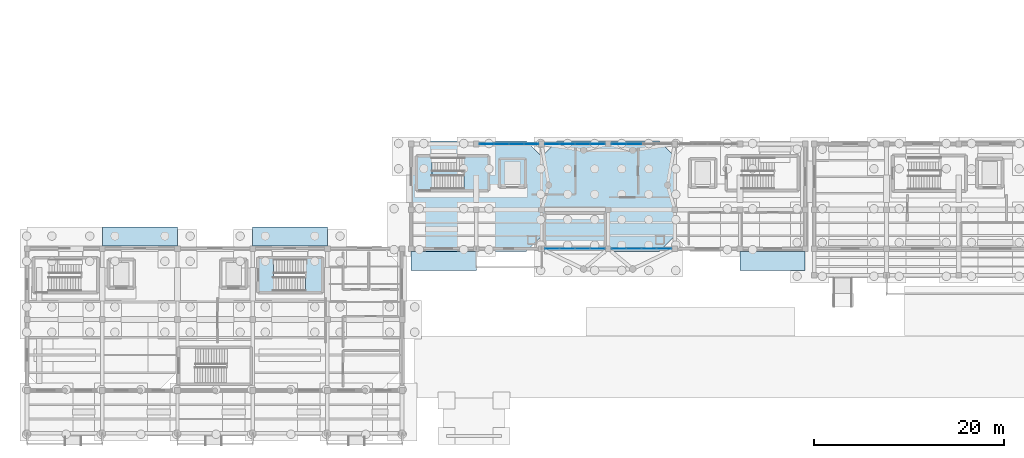
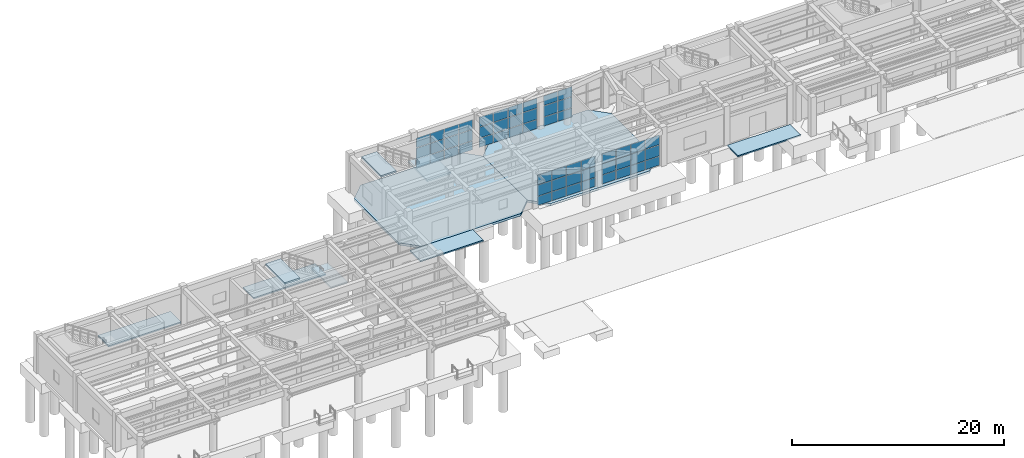
# One storey, part 18 of 41: 54 plates, 10 slabs, 7 elements without a shape of their own.
"""IFC4 building model written with IfcOpenShell, lengths in metres."""

from ifc_helpers import new_model, si_unit, direction, frame, origin, origin_2d, place, context, subcontext, project, spatial, polyline, rectangle, outline, extrude, material, layer, layer_set, type_object, element, aggregate, save


model = new_model("IFC4")

# Units and contexts
model_context = context("Model", 3, precision=1e-05, world=origin(), true_north=direction((0.0, 1.0)))
body_context = subcontext(model_context, "Body", "Model", "MODEL_VIEW")
ifc_project = project(units=[si_unit("LENGTHUNIT", "METRE"), si_unit("AREAUNIT", "SQUARE_METRE"), si_unit("VOLUMEUNIT", "CUBIC_METRE"), si_unit("PLANEANGLEUNIT", "RADIAN"), si_unit("MASSUNIT", "GRAM", prefix="KILO")], contexts=[model_context])

# Site, building, storey
site_placement = place(None, origin())
site = spatial("IfcSite", under=ifc_project, at=site_placement, CompositionType="ELEMENT")
building_placement = place(site_placement, origin())
building = spatial("IfcBuilding", under=site, at=building_placement, Name="Candilejo Ridge Gondola Terminal", CompositionType="ELEMENT")
storey_placement = place(building_placement, origin())
storey = spatial("IfcBuildingStorey", under=building, at=storey_placement, Name="L00", CompositionType="ELEMENT", Elevation=0.0)

# Curtain wall, plates
ifc_material_1 = material(Name="Anodised aluminium AA 6063-T6", Category="aluminium")
ifc_layer_1 = layer(ifc_material_1, 0.169921875)
ifc_layer_set_1 = layer_set([ifc_layer_1], Name="ARC-CW-DRUM-3400-625X359")
curtain_wall_type_1 = type_object("IfcCurtainWallType", Name="ARC-CW-DRUM-3400-625X359", PredefinedType="NOTDEFINED", material=ifc_layer_set_1)
curtain_wall_1_placement = place(storey_placement, origin())
curtain_wall_1 = element("IfcCurtainWall", 1, at=curtain_wall_1_placement, inside=storey, type_object=curtain_wall_type_1, Name="Curtain wall V2 L00-028", PredefinedType="NOTDEFINED")
ifc_material_2 = material(Name="Low-E laminated double glazing 6+12A+6+1.52PVB+6 mm", Category="glass")
ifc_layer_2 = layer(ifc_material_2, 0.028076171875)
ifc_layer_set_2 = layer_set([ifc_layer_2], Name="ARC-CW-GLAZ-PANEL")
plate_type = type_object("IfcPlateType", Name="ARC-CW-GLAZ-PANEL", PredefinedType="CURTAIN_PANEL", material=ifc_layer_set_2)
plate_1_placement = place(storey_placement, frame((52.597412109375, 36.699951171875, 0.06005859375), z_axis=(0.0, 0.0, 1.0), x_axis=(1.0, 0.0, 0.0)))
plate_1 = element("IfcPlate", 2, at=plate_1_placement, type_object=plate_type, Name="CW-62X35 panel 1.1", PredefinedType="CURTAIN_PANEL", context=body_context, shape_type="SweptSolid", body=[
    extrude(rectangle(XDim=1.465087890625, YDim=0.028076171875, at=origin_2d()), origin(), (0.0, 0.0, 1.0), 1.010009765625),
])
plate_2_placement = place(storey_placement, frame((52.597412109375, 36.699951171875, 1.1298828125), z_axis=(0.0, 0.0, 1.0), x_axis=(1.0, 0.0, 0.0)))
plate_2 = element("IfcPlate", 3, at=plate_2_placement, type_object=plate_type, Name="CW-62X35 panel 1.2", PredefinedType="CURTAIN_PANEL", context=body_context, shape_type="SweptSolid", body=[
    extrude(rectangle(XDim=1.465087890625, YDim=0.028076171875, at=origin_2d()), origin(), (0.0, 0.0, 1.0), 1.239990234375),
])
plate_3_placement = place(storey_placement, frame((52.597412109375, 36.699951171875, 2.429931640625), z_axis=(0.0, 0.0, 1.0), x_axis=(1.0, 0.0, 0.0)))
plate_3 = element("IfcPlate", 4, at=plate_3_placement, type_object=plate_type, Name="CW-62X35 panel 1.3", PredefinedType="CURTAIN_PANEL", context=body_context, shape_type="SweptSolid", body=[
    extrude(rectangle(XDim=1.465087890625, YDim=0.028076171875, at=origin_2d()), origin(), (0.0, 0.0, 1.0), 1.10009765625),
])
plate_4_placement = place(storey_placement, frame((54.143798828125, 36.699951171875, 0.06005859375), z_axis=(0.0, 0.0, 1.0), x_axis=(1.0, 0.0, 0.0)))
plate_4 = element("IfcPlate", 5, at=plate_4_placement, type_object=plate_type, Name="CW-62X35 panel 2.1", PredefinedType="CURTAIN_PANEL", context=body_context, shape_type="SweptSolid", body=[
    extrude(rectangle(XDim=1.49755859375, YDim=0.028076171875, at=origin_2d()), origin(), (0.0, 0.0, 1.0), 1.010009765625),
])
plate_5_placement = place(storey_placement, frame((54.143798828125, 36.699951171875, 1.1298828125), z_axis=(0.0, 0.0, 1.0), x_axis=(1.0, 0.0, 0.0)))
plate_5 = element("IfcPlate", 6, at=plate_5_placement, type_object=plate_type, Name="CW-62X35 panel 2.2", PredefinedType="CURTAIN_PANEL", context=body_context, shape_type="SweptSolid", body=[
    extrude(rectangle(XDim=1.49755859375, YDim=0.028076171875, at=origin_2d()), origin(), (0.0, 0.0, 1.0), 1.239990234375),
])
plate_6_placement = place(storey_placement, frame((54.143798828125, 36.699951171875, 2.429931640625), z_axis=(0.0, 0.0, 1.0), x_axis=(1.0, 0.0, 0.0)))
plate_6 = element("IfcPlate", 7, at=plate_6_placement, type_object=plate_type, Name="CW-62X35 panel 2.3", PredefinedType="CURTAIN_PANEL", context=body_context, shape_type="SweptSolid", body=[
    extrude(rectangle(XDim=1.49755859375, YDim=0.028076171875, at=origin_2d()), origin(), (0.0, 0.0, 1.0), 1.10009765625),
])
plate_7_placement = place(storey_placement, frame((55.706298828125, 36.699951171875, 0.06005859375), z_axis=(0.0, 0.0, 1.0), x_axis=(1.0, 0.0, 0.0)))
plate_7 = element("IfcPlate", 8, at=plate_7_placement, type_object=plate_type, Name="CW-62X35 panel 3.1", PredefinedType="CURTAIN_PANEL", context=body_context, shape_type="SweptSolid", body=[
    extrude(rectangle(XDim=1.49755859375, YDim=0.028076171875, at=origin_2d()), origin(), (0.0, 0.0, 1.0), 1.010009765625),
])
plate_8_placement = place(storey_placement, frame((55.706298828125, 36.699951171875, 1.1298828125), z_axis=(0.0, 0.0, 1.0), x_axis=(1.0, 0.0, 0.0)))
plate_8 = element("IfcPlate", 9, at=plate_8_placement, type_object=plate_type, Name="CW-62X35 panel 3.2", PredefinedType="CURTAIN_PANEL", context=body_context, shape_type="SweptSolid", body=[
    extrude(rectangle(XDim=1.49755859375, YDim=0.028076171875, at=origin_2d()), origin(), (0.0, 0.0, 1.0), 1.239990234375),
])
plate_9_placement = place(storey_placement, frame((55.706298828125, 36.699951171875, 2.429931640625), z_axis=(0.0, 0.0, 1.0), x_axis=(1.0, 0.0, 0.0)))
plate_9 = element("IfcPlate", 10, at=plate_9_placement, type_object=plate_type, Name="CW-62X35 panel 3.3", PredefinedType="CURTAIN_PANEL", context=body_context, shape_type="SweptSolid", body=[
    extrude(rectangle(XDim=1.49755859375, YDim=0.028076171875, at=origin_2d()), origin(), (0.0, 0.0, 1.0), 1.10009765625),
])
plate_10_placement = place(storey_placement, frame((57.25244140625, 36.699951171875, 0.06005859375), z_axis=(0.0, 0.0, 1.0), x_axis=(1.0, 0.0, 0.0)))
plate_10 = element("IfcPlate", 11, at=plate_10_placement, type_object=plate_type, Name="CW-62X35 panel 4.1", PredefinedType="CURTAIN_PANEL", context=body_context, shape_type="SweptSolid", body=[
    extrude(rectangle(XDim=1.465087890625, YDim=0.028076171875, at=origin_2d()), origin(), (0.0, 0.0, 1.0), 1.010009765625),
])
plate_11_placement = place(storey_placement, frame((57.25244140625, 36.699951171875, 1.1298828125), z_axis=(0.0, 0.0, 1.0), x_axis=(1.0, 0.0, 0.0)))
plate_11 = element("IfcPlate", 12, at=plate_11_placement, type_object=plate_type, Name="CW-62X35 panel 4.2", PredefinedType="CURTAIN_PANEL", context=body_context, shape_type="SweptSolid", body=[
    extrude(rectangle(XDim=1.465087890625, YDim=0.028076171875, at=origin_2d()), origin(), (0.0, 0.0, 1.0), 1.239990234375),
])
plate_12_placement = place(storey_placement, frame((57.25244140625, 36.699951171875, 2.429931640625), z_axis=(0.0, 0.0, 1.0), x_axis=(1.0, 0.0, 0.0)))
plate_12 = element("IfcPlate", 13, at=plate_12_placement, type_object=plate_type, Name="CW-62X35 panel 4.3", PredefinedType="CURTAIN_PANEL", context=body_context, shape_type="SweptSolid", body=[
    extrude(rectangle(XDim=1.465087890625, YDim=0.028076171875, at=origin_2d()), origin(), (0.0, 0.0, 1.0), 1.10009765625),
])
aggregate(curtain_wall_1, [plate_1, plate_2, plate_3, plate_4, plate_5, plate_6, plate_7, plate_8, plate_9, plate_10, plate_11, plate_12])

ifc_material_3 = material(Name="Anodised aluminium AA 6063-T6", Category="aluminium")
ifc_layer_3 = layer(ifc_material_3, 0.169921875)
ifc_layer_set_3 = layer_set([ifc_layer_3], Name="ARC-CW-DRUM-3400-640X359")
curtain_wall_type_2 = type_object("IfcCurtainWallType", Name="ARC-CW-DRUM-3400-640X359", PredefinedType="NOTDEFINED", material=ifc_layer_set_3)
curtain_wall_2_placement = place(storey_placement, origin())
curtain_wall_2 = element("IfcCurtainWall", 14, at=curtain_wall_2_placement, inside=storey, type_object=curtain_wall_type_2, Name="Curtain wall V2 L00-029", PredefinedType="NOTDEFINED")
plate_13_placement = place(storey_placement, frame((59.46630859375, 36.699951171875, 0.06005859375), z_axis=(0.0, 0.0, 1.0), x_axis=(1.0, 0.0, 0.0)))
plate_13 = element("IfcPlate", 15, at=plate_13_placement, type_object=plate_type, Name="CW-64X35 panel 1.1", PredefinedType="CURTAIN_PANEL", context=body_context, shape_type="SweptSolid", body=[
    extrude(rectangle(XDim=1.50244140625, YDim=0.028076171875, at=origin_2d()), origin(), (0.0, 0.0, 1.0), 1.010009765625),
])
plate_14_placement = place(storey_placement, frame((59.46630859375, 36.699951171875, 1.1298828125), z_axis=(0.0, 0.0, 1.0), x_axis=(1.0, 0.0, 0.0)))
plate_14 = element("IfcPlate", 16, at=plate_14_placement, type_object=plate_type, Name="CW-64X35 panel 1.2", PredefinedType="CURTAIN_PANEL", context=body_context, shape_type="SweptSolid", body=[
    extrude(rectangle(XDim=1.50244140625, YDim=0.028076171875, at=origin_2d()), origin(), (0.0, 0.0, 1.0), 1.239990234375),
])
plate_15_placement = place(storey_placement, frame((59.46630859375, 36.699951171875, 2.429931640625), z_axis=(0.0, 0.0, 1.0), x_axis=(1.0, 0.0, 0.0)))
plate_15 = element("IfcPlate", 17, at=plate_15_placement, type_object=plate_type, Name="CW-64X35 panel 1.3", PredefinedType="CURTAIN_PANEL", context=body_context, shape_type="SweptSolid", body=[
    extrude(rectangle(XDim=1.50244140625, YDim=0.028076171875, at=origin_2d()), origin(), (0.0, 0.0, 1.0), 1.10009765625),
])
plate_16_placement = place(storey_placement, frame((61.050048828125, 36.699951171875, 0.06005859375), z_axis=(0.0, 0.0, 1.0), x_axis=(1.0, 0.0, 0.0)))
plate_16 = element("IfcPlate", 18, at=plate_16_placement, type_object=plate_type, Name="CW-64X35 panel 2.1", PredefinedType="CURTAIN_PANEL", context=body_context, shape_type="SweptSolid", body=[
    extrude(rectangle(XDim=1.534912109375, YDim=0.028076171875, at=origin_2d()), origin(), (0.0, 0.0, 1.0), 1.010009765625),
])
plate_17_placement = place(storey_placement, frame((61.050048828125, 36.699951171875, 1.1298828125), z_axis=(0.0, 0.0, 1.0), x_axis=(1.0, 0.0, 0.0)))
plate_17 = element("IfcPlate", 19, at=plate_17_placement, type_object=plate_type, Name="CW-64X35 panel 2.2", PredefinedType="CURTAIN_PANEL", context=body_context, shape_type="SweptSolid", body=[
    extrude(rectangle(XDim=1.534912109375, YDim=0.028076171875, at=origin_2d()), origin(), (0.0, 0.0, 1.0), 1.239990234375),
])
plate_18_placement = place(storey_placement, frame((61.050048828125, 36.699951171875, 2.429931640625), z_axis=(0.0, 0.0, 1.0), x_axis=(1.0, 0.0, 0.0)))
plate_18 = element("IfcPlate", 20, at=plate_18_placement, type_object=plate_type, Name="CW-64X35 panel 2.3", PredefinedType="CURTAIN_PANEL", context=body_context, shape_type="SweptSolid", body=[
    extrude(rectangle(XDim=1.534912109375, YDim=0.028076171875, at=origin_2d()), origin(), (0.0, 0.0, 1.0), 1.10009765625),
])
plate_19_placement = place(storey_placement, frame((62.64990234375, 36.699951171875, 0.06005859375), z_axis=(0.0, 0.0, 1.0), x_axis=(1.0, 0.0, 0.0)))
plate_19 = element("IfcPlate", 21, at=plate_19_placement, type_object=plate_type, Name="CW-64X35 panel 3.1", PredefinedType="CURTAIN_PANEL", context=body_context, shape_type="SweptSolid", body=[
    extrude(rectangle(XDim=1.534912109375, YDim=0.028076171875, at=origin_2d()), origin(), (0.0, 0.0, 1.0), 1.010009765625),
])
plate_20_placement = place(storey_placement, frame((62.64990234375, 36.699951171875, 1.1298828125), z_axis=(0.0, 0.0, 1.0), x_axis=(1.0, 0.0, 0.0)))
plate_20 = element("IfcPlate", 22, at=plate_20_placement, type_object=plate_type, Name="CW-64X35 panel 3.2", PredefinedType="CURTAIN_PANEL", context=body_context, shape_type="SweptSolid", body=[
    extrude(rectangle(XDim=1.534912109375, YDim=0.028076171875, at=origin_2d()), origin(), (0.0, 0.0, 1.0), 1.239990234375),
])
plate_21_placement = place(storey_placement, frame((62.64990234375, 36.699951171875, 2.429931640625), z_axis=(0.0, 0.0, 1.0), x_axis=(1.0, 0.0, 0.0)))
plate_21 = element("IfcPlate", 23, at=plate_21_placement, type_object=plate_type, Name="CW-64X35 panel 3.3", PredefinedType="CURTAIN_PANEL", context=body_context, shape_type="SweptSolid", body=[
    extrude(rectangle(XDim=1.534912109375, YDim=0.028076171875, at=origin_2d()), origin(), (0.0, 0.0, 1.0), 1.10009765625),
])
plate_22_placement = place(storey_placement, frame((64.233642578125, 36.699951171875, 0.06005859375), z_axis=(0.0, 0.0, 1.0), x_axis=(1.0, 0.0, 0.0)))
plate_22 = element("IfcPlate", 24, at=plate_22_placement, type_object=plate_type, Name="CW-64X35 panel 4.1", PredefinedType="CURTAIN_PANEL", context=body_context, shape_type="SweptSolid", body=[
    extrude(rectangle(XDim=1.50244140625, YDim=0.028076171875, at=origin_2d()), origin(), (0.0, 0.0, 1.0), 1.010009765625),
])
plate_23_placement = place(storey_placement, frame((64.233642578125, 36.699951171875, 1.1298828125), z_axis=(0.0, 0.0, 1.0), x_axis=(1.0, 0.0, 0.0)))
plate_23 = element("IfcPlate", 25, at=plate_23_placement, type_object=plate_type, Name="CW-64X35 panel 4.2", PredefinedType="CURTAIN_PANEL", context=body_context, shape_type="SweptSolid", body=[
    extrude(rectangle(XDim=1.50244140625, YDim=0.028076171875, at=origin_2d()), origin(), (0.0, 0.0, 1.0), 1.239990234375),
])
plate_24_placement = place(storey_placement, frame((64.233642578125, 36.699951171875, 2.429931640625), z_axis=(0.0, 0.0, 1.0), x_axis=(1.0, 0.0, 0.0)))
plate_24 = element("IfcPlate", 26, at=plate_24_placement, type_object=plate_type, Name="CW-64X35 panel 4.3", PredefinedType="CURTAIN_PANEL", context=body_context, shape_type="SweptSolid", body=[
    extrude(rectangle(XDim=1.50244140625, YDim=0.028076171875, at=origin_2d()), origin(), (0.0, 0.0, 1.0), 1.10009765625),
])
aggregate(curtain_wall_2, [plate_13, plate_14, plate_15, plate_16, plate_17, plate_18, plate_19, plate_20, plate_21, plate_22, plate_23, plate_24])

curtain_wall_3_placement = place(storey_placement, origin())
curtain_wall_3 = element("IfcCurtainWall", 27, at=curtain_wall_3_placement, inside=storey, type_object=curtain_wall_type_2, Name="Curtain wall V2 L00-030", PredefinedType="NOTDEFINED")
plate_25_placement = place(storey_placement, frame((59.46630859375, 25.699951171875, 0.06005859375), z_axis=(0.0, 0.0, 1.0), x_axis=(1.0, 0.0, 0.0)))
plate_25 = element("IfcPlate", 28, at=plate_25_placement, type_object=plate_type, Name="CW-64X35 panel 1.1", PredefinedType="CURTAIN_PANEL", context=body_context, shape_type="SweptSolid", body=[
    extrude(rectangle(XDim=1.50244140625, YDim=0.028076171875, at=origin_2d()), origin(), (0.0, 0.0, 1.0), 1.010009765625),
])
plate_26_placement = place(storey_placement, frame((59.46630859375, 25.699951171875, 1.1298828125), z_axis=(0.0, 0.0, 1.0), x_axis=(1.0, 0.0, 0.0)))
plate_26 = element("IfcPlate", 29, at=plate_26_placement, type_object=plate_type, Name="CW-64X35 panel 1.2", PredefinedType="CURTAIN_PANEL", context=body_context, shape_type="SweptSolid", body=[
    extrude(rectangle(XDim=1.50244140625, YDim=0.028076171875, at=origin_2d()), origin(), (0.0, 0.0, 1.0), 1.239990234375),
])
plate_27_placement = place(storey_placement, frame((59.46630859375, 25.699951171875, 2.429931640625), z_axis=(0.0, 0.0, 1.0), x_axis=(1.0, 0.0, 0.0)))
plate_27 = element("IfcPlate", 30, at=plate_27_placement, type_object=plate_type, Name="CW-64X35 panel 1.3", PredefinedType="CURTAIN_PANEL", context=body_context, shape_type="SweptSolid", body=[
    extrude(rectangle(XDim=1.50244140625, YDim=0.028076171875, at=origin_2d()), origin(), (0.0, 0.0, 1.0), 1.10009765625),
])
plate_28_placement = place(storey_placement, frame((61.050048828125, 25.699951171875, 0.06005859375), z_axis=(0.0, 0.0, 1.0), x_axis=(1.0, 0.0, 0.0)))
plate_28 = element("IfcPlate", 31, at=plate_28_placement, type_object=plate_type, Name="CW-64X35 panel 2.1", PredefinedType="CURTAIN_PANEL", context=body_context, shape_type="SweptSolid", body=[
    extrude(rectangle(XDim=1.534912109375, YDim=0.028076171875, at=origin_2d()), origin(), (0.0, 0.0, 1.0), 1.010009765625),
])
plate_29_placement = place(storey_placement, frame((61.050048828125, 25.699951171875, 1.1298828125), z_axis=(0.0, 0.0, 1.0), x_axis=(1.0, 0.0, 0.0)))
plate_29 = element("IfcPlate", 32, at=plate_29_placement, type_object=plate_type, Name="CW-64X35 panel 2.2", PredefinedType="CURTAIN_PANEL", context=body_context, shape_type="SweptSolid", body=[
    extrude(rectangle(XDim=1.534912109375, YDim=0.028076171875, at=origin_2d()), origin(), (0.0, 0.0, 1.0), 1.239990234375),
])
plate_30_placement = place(storey_placement, frame((61.050048828125, 25.699951171875, 2.429931640625), z_axis=(0.0, 0.0, 1.0), x_axis=(1.0, 0.0, 0.0)))
plate_30 = element("IfcPlate", 33, at=plate_30_placement, type_object=plate_type, Name="CW-64X35 panel 2.3", PredefinedType="CURTAIN_PANEL", context=body_context, shape_type="SweptSolid", body=[
    extrude(rectangle(XDim=1.534912109375, YDim=0.028076171875, at=origin_2d()), origin(), (0.0, 0.0, 1.0), 1.10009765625),
])
plate_31_placement = place(storey_placement, frame((62.64990234375, 25.699951171875, 0.06005859375), z_axis=(0.0, 0.0, 1.0), x_axis=(1.0, 0.0, 0.0)))
plate_31 = element("IfcPlate", 34, at=plate_31_placement, type_object=plate_type, Name="CW-64X35 panel 3.1", PredefinedType="CURTAIN_PANEL", context=body_context, shape_type="SweptSolid", body=[
    extrude(rectangle(XDim=1.534912109375, YDim=0.028076171875, at=origin_2d()), origin(), (0.0, 0.0, 1.0), 1.010009765625),
])
plate_32_placement = place(storey_placement, frame((62.64990234375, 25.699951171875, 1.1298828125), z_axis=(0.0, 0.0, 1.0), x_axis=(1.0, 0.0, 0.0)))
plate_32 = element("IfcPlate", 35, at=plate_32_placement, type_object=plate_type, Name="CW-64X35 panel 3.2", PredefinedType="CURTAIN_PANEL", context=body_context, shape_type="SweptSolid", body=[
    extrude(rectangle(XDim=1.534912109375, YDim=0.028076171875, at=origin_2d()), origin(), (0.0, 0.0, 1.0), 1.239990234375),
])
plate_33_placement = place(storey_placement, frame((62.64990234375, 25.699951171875, 2.429931640625), z_axis=(0.0, 0.0, 1.0), x_axis=(1.0, 0.0, 0.0)))
plate_33 = element("IfcPlate", 36, at=plate_33_placement, type_object=plate_type, Name="CW-64X35 panel 3.3", PredefinedType="CURTAIN_PANEL", context=body_context, shape_type="SweptSolid", body=[
    extrude(rectangle(XDim=1.534912109375, YDim=0.028076171875, at=origin_2d()), origin(), (0.0, 0.0, 1.0), 1.10009765625),
])
plate_34_placement = place(storey_placement, frame((64.233642578125, 25.699951171875, 0.06005859375), z_axis=(0.0, 0.0, 1.0), x_axis=(1.0, 0.0, 0.0)))
plate_34 = element("IfcPlate", 37, at=plate_34_placement, type_object=plate_type, Name="CW-64X35 panel 4.1", PredefinedType="CURTAIN_PANEL", context=body_context, shape_type="SweptSolid", body=[
    extrude(rectangle(XDim=1.50244140625, YDim=0.028076171875, at=origin_2d()), origin(), (0.0, 0.0, 1.0), 1.010009765625),
])
plate_35_placement = place(storey_placement, frame((64.233642578125, 25.699951171875, 1.1298828125), z_axis=(0.0, 0.0, 1.0), x_axis=(1.0, 0.0, 0.0)))
plate_35 = element("IfcPlate", 38, at=plate_35_placement, type_object=plate_type, Name="CW-64X35 panel 4.2", PredefinedType="CURTAIN_PANEL", context=body_context, shape_type="SweptSolid", body=[
    extrude(rectangle(XDim=1.50244140625, YDim=0.028076171875, at=origin_2d()), origin(), (0.0, 0.0, 1.0), 1.239990234375),
])
plate_36_placement = place(storey_placement, frame((64.233642578125, 25.699951171875, 2.429931640625), z_axis=(0.0, 0.0, 1.0), x_axis=(1.0, 0.0, 0.0)))
plate_36 = element("IfcPlate", 39, at=plate_36_placement, type_object=plate_type, Name="CW-64X35 panel 4.3", PredefinedType="CURTAIN_PANEL", context=body_context, shape_type="SweptSolid", body=[
    extrude(rectangle(XDim=1.50244140625, YDim=0.028076171875, at=origin_2d()), origin(), (0.0, 0.0, 1.0), 1.10009765625),
])
aggregate(curtain_wall_3, [plate_25, plate_26, plate_27, plate_28, plate_29, plate_30, plate_31, plate_32, plate_33, plate_34, plate_35, plate_36])

curtain_wall_4_placement = place(storey_placement, origin())
curtain_wall_4 = element("IfcCurtainWall", 40, at=curtain_wall_4_placement, inside=storey, type_object=curtain_wall_type_2, Name="Curtain wall V2 L00-031", PredefinedType="NOTDEFINED")
plate_37_placement = place(storey_placement, frame((66.46630859375, 36.699951171875, 0.06005859375), z_axis=(0.0, 0.0, 1.0), x_axis=(1.0, 0.0, 0.0)))
plate_37 = element("IfcPlate", 41, at=plate_37_placement, type_object=plate_type, Name="CW-64X35 panel 1.1", PredefinedType="CURTAIN_PANEL", context=body_context, shape_type="SweptSolid", body=[
    extrude(rectangle(XDim=1.50244140625, YDim=0.028076171875, at=origin_2d()), origin(), (0.0, 0.0, 1.0), 1.010009765625),
])
plate_38_placement = place(storey_placement, frame((66.46630859375, 36.699951171875, 1.1298828125), z_axis=(0.0, 0.0, 1.0), x_axis=(1.0, 0.0, 0.0)))
plate_38 = element("IfcPlate", 42, at=plate_38_placement, type_object=plate_type, Name="CW-64X35 panel 1.2", PredefinedType="CURTAIN_PANEL", context=body_context, shape_type="SweptSolid", body=[
    extrude(rectangle(XDim=1.50244140625, YDim=0.028076171875, at=origin_2d()), origin(), (0.0, 0.0, 1.0), 1.239990234375),
])
plate_39_placement = place(storey_placement, frame((66.46630859375, 36.699951171875, 2.429931640625), z_axis=(0.0, 0.0, 1.0), x_axis=(1.0, 0.0, 0.0)))
plate_39 = element("IfcPlate", 43, at=plate_39_placement, type_object=plate_type, Name="CW-64X35 panel 1.3", PredefinedType="CURTAIN_PANEL", context=body_context, shape_type="SweptSolid", body=[
    extrude(rectangle(XDim=1.50244140625, YDim=0.028076171875, at=origin_2d()), origin(), (0.0, 0.0, 1.0), 1.10009765625),
])
plate_40_placement = place(storey_placement, frame((68.050048828125, 36.699951171875, 0.06005859375), z_axis=(0.0, 0.0, 1.0), x_axis=(1.0, 0.0, 0.0)))
plate_40 = element("IfcPlate", 44, at=plate_40_placement, type_object=plate_type, Name="CW-64X35 panel 2.1", PredefinedType="CURTAIN_PANEL", context=body_context, shape_type="SweptSolid", body=[
    extrude(rectangle(XDim=1.534912109375, YDim=0.028076171875, at=origin_2d()), origin(), (0.0, 0.0, 1.0), 1.010009765625),
])
plate_41_placement = place(storey_placement, frame((68.050048828125, 36.699951171875, 1.1298828125), z_axis=(0.0, 0.0, 1.0), x_axis=(1.0, 0.0, 0.0)))
plate_41 = element("IfcPlate", 45, at=plate_41_placement, type_object=plate_type, Name="CW-64X35 panel 2.2", PredefinedType="CURTAIN_PANEL", context=body_context, shape_type="SweptSolid", body=[
    extrude(rectangle(XDim=1.534912109375, YDim=0.028076171875, at=origin_2d()), origin(), (0.0, 0.0, 1.0), 1.239990234375),
])
plate_42_placement = place(storey_placement, frame((68.050048828125, 36.699951171875, 2.429931640625), z_axis=(0.0, 0.0, 1.0), x_axis=(1.0, 0.0, 0.0)))
plate_42 = element("IfcPlate", 46, at=plate_42_placement, type_object=plate_type, Name="CW-64X35 panel 2.3", PredefinedType="CURTAIN_PANEL", context=body_context, shape_type="SweptSolid", body=[
    extrude(rectangle(XDim=1.534912109375, YDim=0.028076171875, at=origin_2d()), origin(), (0.0, 0.0, 1.0), 1.10009765625),
])
aggregate(curtain_wall_4, [plate_37, plate_38, plate_39, plate_40, plate_41, plate_42])

curtain_wall_5_placement = place(storey_placement, origin())
curtain_wall_5 = element("IfcCurtainWall", 47, at=curtain_wall_5_placement, inside=storey, type_object=curtain_wall_type_2, Name="Curtain wall V2 L00-032", PredefinedType="NOTDEFINED")
plate_43_placement = place(storey_placement, frame((66.46630859375, 25.699951171875, 0.06005859375), z_axis=(0.0, 0.0, 1.0), x_axis=(1.0, 0.0, 0.0)))
plate_43 = element("IfcPlate", 48, at=plate_43_placement, type_object=plate_type, Name="CW-64X35 panel 1.1", PredefinedType="CURTAIN_PANEL", context=body_context, shape_type="SweptSolid", body=[
    extrude(rectangle(XDim=1.50244140625, YDim=0.028076171875, at=origin_2d()), origin(), (0.0, 0.0, 1.0), 1.010009765625),
])
plate_44_placement = place(storey_placement, frame((66.46630859375, 25.699951171875, 1.1298828125), z_axis=(0.0, 0.0, 1.0), x_axis=(1.0, 0.0, 0.0)))
plate_44 = element("IfcPlate", 49, at=plate_44_placement, type_object=plate_type, Name="CW-64X35 panel 1.2", PredefinedType="CURTAIN_PANEL", context=body_context, shape_type="SweptSolid", body=[
    extrude(rectangle(XDim=1.50244140625, YDim=0.028076171875, at=origin_2d()), origin(), (0.0, 0.0, 1.0), 1.239990234375),
])
plate_45_placement = place(storey_placement, frame((66.46630859375, 25.699951171875, 2.429931640625), z_axis=(0.0, 0.0, 1.0), x_axis=(1.0, 0.0, 0.0)))
plate_45 = element("IfcPlate", 50, at=plate_45_placement, type_object=plate_type, Name="CW-64X35 panel 1.3", PredefinedType="CURTAIN_PANEL", context=body_context, shape_type="SweptSolid", body=[
    extrude(rectangle(XDim=1.50244140625, YDim=0.028076171875, at=origin_2d()), origin(), (0.0, 0.0, 1.0), 1.10009765625),
])
plate_46_placement = place(storey_placement, frame((68.050048828125, 25.699951171875, 0.06005859375), z_axis=(0.0, 0.0, 1.0), x_axis=(1.0, 0.0, 0.0)))
plate_46 = element("IfcPlate", 51, at=plate_46_placement, type_object=plate_type, Name="CW-64X35 panel 2.1", PredefinedType="CURTAIN_PANEL", context=body_context, shape_type="SweptSolid", body=[
    extrude(rectangle(XDim=1.534912109375, YDim=0.028076171875, at=origin_2d()), origin(), (0.0, 0.0, 1.0), 1.010009765625),
])
plate_47_placement = place(storey_placement, frame((68.050048828125, 25.699951171875, 1.1298828125), z_axis=(0.0, 0.0, 1.0), x_axis=(1.0, 0.0, 0.0)))
plate_47 = element("IfcPlate", 52, at=plate_47_placement, type_object=plate_type, Name="CW-64X35 panel 2.2", PredefinedType="CURTAIN_PANEL", context=body_context, shape_type="SweptSolid", body=[
    extrude(rectangle(XDim=1.534912109375, YDim=0.028076171875, at=origin_2d()), origin(), (0.0, 0.0, 1.0), 1.239990234375),
])
plate_48_placement = place(storey_placement, frame((68.050048828125, 25.699951171875, 2.429931640625), z_axis=(0.0, 0.0, 1.0), x_axis=(1.0, 0.0, 0.0)))
plate_48 = element("IfcPlate", 53, at=plate_48_placement, type_object=plate_type, Name="CW-64X35 panel 2.3", PredefinedType="CURTAIN_PANEL", context=body_context, shape_type="SweptSolid", body=[
    extrude(rectangle(XDim=1.534912109375, YDim=0.028076171875, at=origin_2d()), origin(), (0.0, 0.0, 1.0), 1.10009765625),
])
plate_49_placement = place(storey_placement, frame((69.64990234375, 25.699951171875, 0.06005859375), z_axis=(0.0, 0.0, 1.0), x_axis=(1.0, 0.0, 0.0)))
plate_49 = element("IfcPlate", 54, at=plate_49_placement, type_object=plate_type, Name="CW-64X35 panel 3.1", PredefinedType="CURTAIN_PANEL", context=body_context, shape_type="SweptSolid", body=[
    extrude(rectangle(XDim=1.534912109375, YDim=0.028076171875, at=origin_2d()), origin(), (0.0, 0.0, 1.0), 1.010009765625),
])
plate_50_placement = place(storey_placement, frame((69.64990234375, 25.699951171875, 1.1298828125), z_axis=(0.0, 0.0, 1.0), x_axis=(1.0, 0.0, 0.0)))
plate_50 = element("IfcPlate", 55, at=plate_50_placement, type_object=plate_type, Name="CW-64X35 panel 3.2", PredefinedType="CURTAIN_PANEL", context=body_context, shape_type="SweptSolid", body=[
    extrude(rectangle(XDim=1.534912109375, YDim=0.028076171875, at=origin_2d()), origin(), (0.0, 0.0, 1.0), 1.239990234375),
])
plate_51_placement = place(storey_placement, frame((69.64990234375, 25.699951171875, 2.429931640625), z_axis=(0.0, 0.0, 1.0), x_axis=(1.0, 0.0, 0.0)))
plate_51 = element("IfcPlate", 56, at=plate_51_placement, type_object=plate_type, Name="CW-64X35 panel 3.3", PredefinedType="CURTAIN_PANEL", context=body_context, shape_type="SweptSolid", body=[
    extrude(rectangle(XDim=1.534912109375, YDim=0.028076171875, at=origin_2d()), origin(), (0.0, 0.0, 1.0), 1.10009765625),
])
plate_52_placement = place(storey_placement, frame((71.233642578125, 25.699951171875, 0.06005859375), z_axis=(0.0, 0.0, 1.0), x_axis=(1.0, 0.0, 0.0)))
plate_52 = element("IfcPlate", 57, at=plate_52_placement, type_object=plate_type, Name="CW-64X35 panel 4.1", PredefinedType="CURTAIN_PANEL", context=body_context, shape_type="SweptSolid", body=[
    extrude(rectangle(XDim=1.50244140625, YDim=0.028076171875, at=origin_2d()), origin(), (0.0, 0.0, 1.0), 1.010009765625),
])
plate_53_placement = place(storey_placement, frame((71.233642578125, 25.699951171875, 1.1298828125), z_axis=(0.0, 0.0, 1.0), x_axis=(1.0, 0.0, 0.0)))
plate_53 = element("IfcPlate", 58, at=plate_53_placement, type_object=plate_type, Name="CW-64X35 panel 4.2", PredefinedType="CURTAIN_PANEL", context=body_context, shape_type="SweptSolid", body=[
    extrude(rectangle(XDim=1.50244140625, YDim=0.028076171875, at=origin_2d()), origin(), (0.0, 0.0, 1.0), 1.239990234375),
])
plate_54_placement = place(storey_placement, frame((71.233642578125, 25.699951171875, 2.429931640625), z_axis=(0.0, 0.0, 1.0), x_axis=(1.0, 0.0, 0.0)))
plate_54 = element("IfcPlate", 59, at=plate_54_placement, type_object=plate_type, Name="CW-64X35 panel 4.3", PredefinedType="CURTAIN_PANEL", context=body_context, shape_type="SweptSolid", body=[
    extrude(rectangle(XDim=1.50244140625, YDim=0.028076171875, at=origin_2d()), origin(), (0.0, 0.0, 1.0), 1.10009765625),
])
aggregate(curtain_wall_5, [plate_43, plate_44, plate_45, plate_46, plate_47, plate_48, plate_49, plate_50, plate_51, plate_52, plate_53, plate_54])

# Slabs
ifc_material_4 = material(Name="Concrete f'c 28 MPa (C28/35)", Category="concrete")
ifc_layer_4 = layer(ifc_material_4, 0.14990234375)
ifc_layer_set_4 = layer_set([ifc_layer_4], Name="CIV-EXT-PAVING-150")
slab_type_1 = type_object("IfcSlabType", Name="CIV-EXT-PAVING-150", PredefinedType="USERDEFINED", material=ifc_layer_set_4)
slab_1_placement = place(storey_placement, frame((0.0, 0.0, -0.14990234375)))
element("IfcSlab", 60, at=slab_1_placement, inside=storey, type_object=slab_type_1, Name="Exterior threshold paving PAD-V1-N", ObjectType="PAVING", PredefinedType="USERDEFINED", context=body_context, shape_type="SweptSolid", body=[
    extrude(outline(polyline([(12.199951171875, 26.0), (20.10009765625, 26.0), (20.10009765625, 28.0), (12.199951171875, 28.0), (12.199951171875, 26.0)])), origin(), (0.0, 0.0, 1.0), 0.14990234375),
])
slab_2_placement = place(storey_placement, frame((0.0, 0.0, -0.14990234375)))
element("IfcSlab", 61, at=slab_2_placement, inside=storey, type_object=slab_type_1, Name="Exterior threshold paving PAD-V1-NE", ObjectType="PAVING", PredefinedType="USERDEFINED", context=body_context, shape_type="SweptSolid", body=[
    extrude(outline(polyline([(28.0, 26.0), (35.85009765625, 26.0), (35.85009765625, 28.0), (28.0, 28.0), (28.0, 26.0)])), origin(), (0.0, 0.0, 1.0), 0.14990234375),
])
slab_3_placement = place(storey_placement, frame((0.0, 0.0, -0.14990234375)))
element("IfcSlab", 62, at=slab_3_placement, inside=storey, type_object=slab_type_1, Name="Exterior threshold paving PAD-V2-SW", ObjectType="PAVING", PredefinedType="USERDEFINED", context=body_context, shape_type="SweptSolid", body=[
    extrude(outline(polyline([(44.64990234375, 23.39990234375), (51.5, 23.39990234375), (51.5, 25.39990234375), (44.64990234375, 25.39990234375), (44.64990234375, 23.39990234375)])), origin(), (0.0, 0.0, 1.0), 0.14990234375),
])
slab_4_placement = place(storey_placement, frame((0.0, 0.0, -0.14990234375)))
element("IfcSlab", 63, at=slab_4_placement, inside=storey, type_object=slab_type_1, Name="Exterior threshold paving PAD-V2-SE", ObjectType="PAVING", PredefinedType="USERDEFINED", context=body_context, shape_type="SweptSolid", body=[
    extrude(outline(polyline([(79.199951171875, 23.39990234375), (86.050048828125, 23.39990234375), (86.050048828125, 25.39990234375), (79.199951171875, 25.39990234375), (79.199951171875, 23.39990234375)])), origin(), (0.0, 0.0, 1.0), 0.14990234375),
])
ifc_material_5 = material(Name="Concrete f'c 28 MPa (C28/35)", Category="concrete")
ifc_layer_5 = layer(ifc_material_5, 0.27001953125)
ifc_layer_set_5 = layer_set([ifc_layer_5], Name="STR-BASE-SLAB-270")
slab_type_2 = type_object("IfcSlabType", Name="STR-BASE-SLAB-270", PredefinedType="BASESLAB", material=ifc_layer_set_5)
slab_5_placement = place(storey_placement, frame((0.0, 0.0, -0.27001953125)))
element("IfcSlab", 64, at=slab_5_placement, inside=storey, type_object=slab_type_2, Name="Slab SLB-V2-L00-W", PredefinedType="BASESLAB", context=body_context, shape_type="SweptSolid", body=[
    extrude(outline(polyline([(45.9619140625, 25.39990234375), (56.738037109375, 25.39990234375), (58.35009765625, 27.011962890625), (58.35009765625, 35.387939453125), (56.738037109375, 37.0), (45.9619140625, 37.0), (44.35009765625, 35.387939453125), (44.35009765625, 27.011962890625), (45.9619140625, 25.39990234375)])), origin(), (0.0, 0.0, 1.0), 0.27001953125),
])
slab_6_placement = place(storey_placement, frame((0.0, 0.0, -0.27001953125)))
element("IfcSlab", 65, at=slab_6_placement, inside=storey, type_object=slab_type_2, Name="Slab SLB-V2-L00-OCT", PredefinedType="BASESLAB", context=body_context, shape_type="SweptSolid", body=[
    extrude(outline(polyline([(59.9619140625, 25.39990234375), (70.738037109375, 25.39990234375), (72.35009765625, 27.011962890625), (72.35009765625, 35.387939453125), (70.738037109375, 37.0), (59.9619140625, 37.0), (58.35009765625, 35.387939453125), (58.35009765625, 27.011962890625), (59.9619140625, 25.39990234375)])), origin(), (0.0, 0.0, 1.0), 0.27001953125),
])

# Stair, slabs
ifc_material_6 = material(Name="Concrete f'c 35 MPa (C35/45)", Category="concrete")
stair_type = type_object("IfcStairType", Name="STR-STAIR-1450-4500", PredefinedType="HALF_TURN_STAIR", material=ifc_material_6)
stair_1_placement = place(storey_placement, origin())
stair_1 = element("IfcStair", 66, at=stair_1_placement, inside=storey, type_object=stair_type, Name="Enclosed fire exit stair ST-V1B-L00", PredefinedType="HALF_TURN_STAIR")
ifc_material_7 = material(Name="Concrete f'c 35 MPa (C35/45)", Category="concrete")
ifc_layer_6 = layer(ifc_material_7, 0.199951171875)
ifc_layer_set_6 = layer_set([ifc_layer_6], Name="STR-STAIR-LANDING-200")
slab_type_3 = type_object("IfcSlabType", Name="STR-STAIR-LANDING-200", PredefinedType="LANDING", material=ifc_layer_set_6)
slab_7_placement = place(storey_placement, frame((0.0, 0.0, 2.050048828125)))
slab_7 = element("IfcSlab", 67, at=slab_7_placement, type_object=slab_type_3, Name="Stair half-landing ST-V1B-LND-01", PredefinedType="LANDING", context=body_context, shape_type="SweptSolid", body=[
    extrude(outline(polyline([(33.570068359375, 21.10009765625), (35.35009765625, 21.10009765625), (35.35009765625, 24.75), (33.570068359375, 24.75), (33.570068359375, 21.10009765625)])), origin(), (0.0, 0.0, 1.0), 0.199951171875),
])
slab_8_placement = place(storey_placement, frame((0.0, 0.0, 4.300048828125)))
slab_8 = element("IfcSlab", 68, at=slab_8_placement, type_object=slab_type_3, Name="Stair floor landing ST-V1B-L00-ARR-L01", PredefinedType="LANDING", context=body_context, shape_type="SweptSolid", body=[
    extrude(outline(polyline([(28.550048828125, 21.10009765625), (30.2099609375, 21.10009765625), (30.2099609375, 24.75), (28.550048828125, 24.75), (28.550048828125, 21.10009765625)])), origin(), (0.0, 0.0, 1.0), 0.199951171875),
])
aggregate(stair_1, [slab_7, slab_8])

stair_2_placement = place(storey_placement, origin())
stair_2 = element("IfcStair", 69, at=stair_2_placement, inside=storey, type_object=stair_type, Name="Enclosed fire exit stair ST-V2A-L00", PredefinedType="HALF_TURN_STAIR")
slab_9_placement = place(storey_placement, frame((0.0, 0.0, 2.050048828125)))
slab_9 = element("IfcSlab", 70, at=slab_9_placement, type_object=slab_type_3, Name="Stair half-landing ST-V2A-LND-01", PredefinedType="LANDING", context=body_context, shape_type="SweptSolid", body=[
    extrude(outline(polyline([(50.219970703125, 31.800048828125), (52.800048828125, 31.800048828125), (52.800048828125, 35.449951171875), (50.219970703125, 35.449951171875), (50.219970703125, 31.800048828125)])), origin(), (0.0, 0.0, 1.0), 0.199951171875),
])
slab_10_placement = place(storey_placement, frame((0.0, 0.0, 4.300048828125)))
slab_10 = element("IfcSlab", 71, at=slab_10_placement, type_object=slab_type_3, Name="Stair floor landing ST-V2A-L00-ARR-L01", PredefinedType="LANDING", context=body_context, shape_type="SweptSolid", body=[
    extrude(outline(polyline([(45.199951171875, 31.800048828125), (46.860107421875, 31.800048828125), (46.860107421875, 35.449951171875), (45.199951171875, 35.449951171875), (45.199951171875, 31.800048828125)])), origin(), (0.0, 0.0, 1.0), 0.199951171875),
])
aggregate(stair_2, [slab_9, slab_10])

save(model, "model.ifc")
